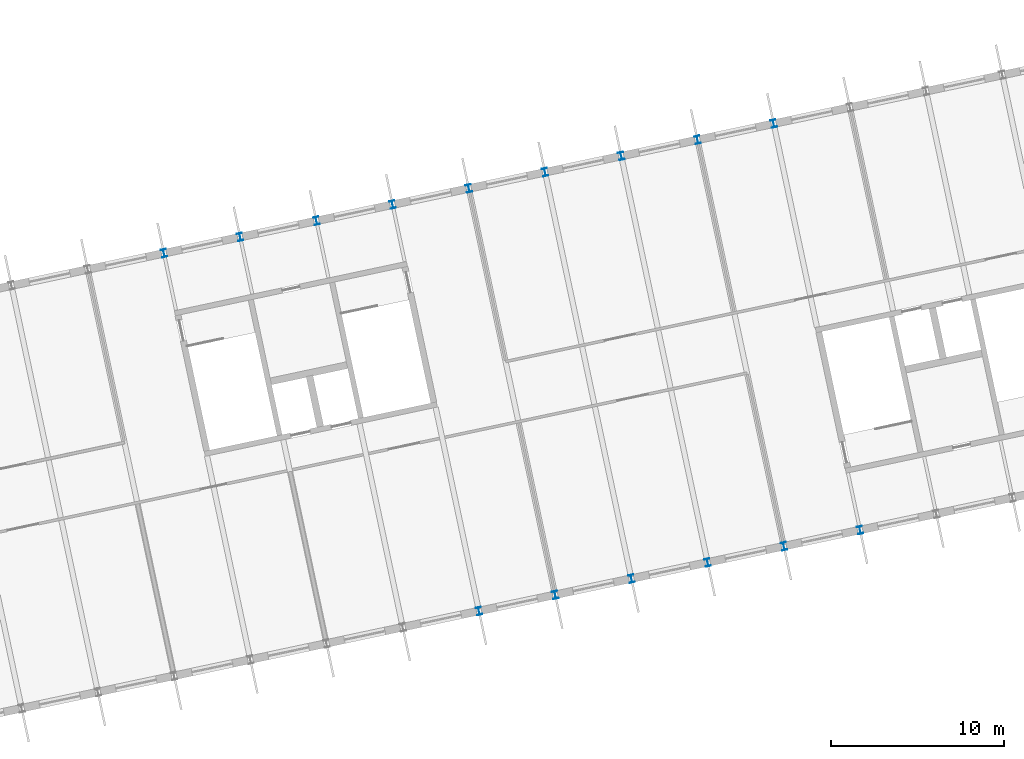
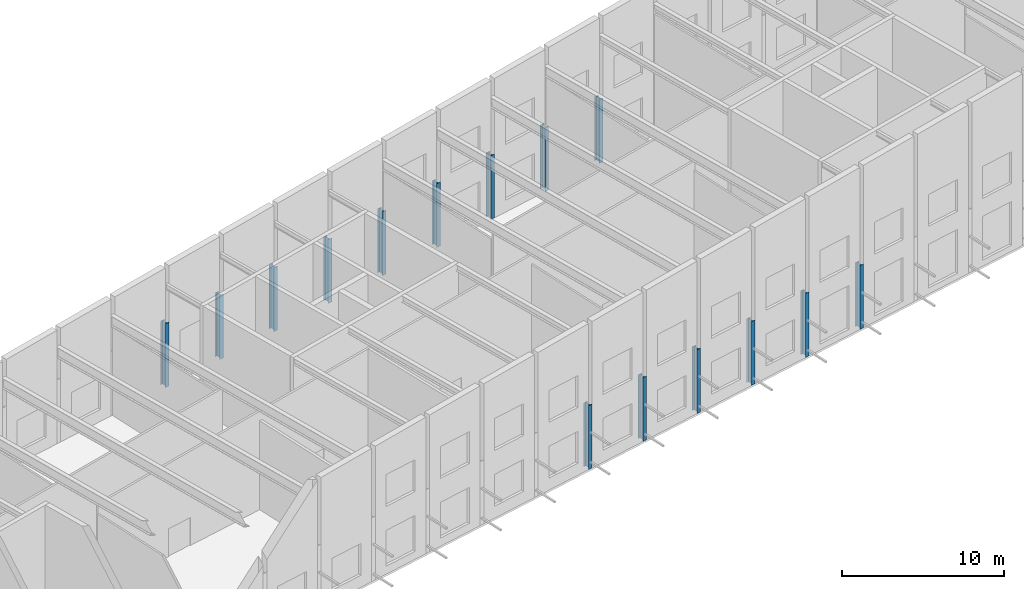
# One storey, part 5 of 69: 15 columns.
"""IFC4 building model written with IfcOpenShell, lengths in metres."""

from ifc_helpers import new_model, si_unit, direction, frame, origin, origin_2d, place, context, subcontext, project, spatial, i_section, extrude, material, material_profile, profile_set, type_object, element, save


model = new_model("IFC4")

# Units and contexts
model_context = context("Model", 3, precision=1e-05, world=origin(), true_north=direction((0.0, 1.0)))
body_context = subcontext(model_context, "Body", "Model", "MODEL_VIEW")
ifc_project = project(units=[si_unit("LENGTHUNIT", "METRE"), si_unit("AREAUNIT", "SQUARE_METRE"), si_unit("VOLUMEUNIT", "CUBIC_METRE"), si_unit("PLANEANGLEUNIT", "RADIAN"), si_unit("MASSUNIT", "GRAM", prefix="KILO")], contexts=[model_context])

# Site, building, storey
site_placement = place(None, origin())
site = spatial("IfcSite", under=ifc_project, at=site_placement, CompositionType="ELEMENT")
building_placement = place(site_placement, origin())
building = spatial("IfcBuilding", under=site, at=building_placement, Name="Okhra Congress Centre", CompositionType="ELEMENT")
storey_placement = place(building_placement, frame((0.0, 0.0, 16.800048828125)))
storey = spatial("IfcBuildingStorey", under=building, at=storey_placement, Name="L03", CompositionType="ELEMENT", Elevation=16.800048828125)

# Columns
ifc_material = material(Name="Steel S355J2", Category="steel")
ifc_material_profile = material_profile(ifc_material, i_section(OverallWidth=0.300048828125, OverallDepth=0.449951171875, WebThickness=0.013916015625, FlangeThickness=0.02587890625, FilletRadius=0.027099609375, at=origin_2d()), Name="HE 450 B")
ifc_profile_set = profile_set([ifc_material_profile], Name="Steel S355J2")
column_type = type_object("IfcColumnType", Name="Steel post HE 450 B", PredefinedType="COLUMN", material=ifc_profile_set)
for number, where, z_axis, x_axis, name in (
    (1, (113.8310546875, 38.036376953125, 0.0), (0.0, 0.0, 1.0), (0.978147600734, 0.207911690818, 0.0), "Post S13"),
    (2, (118.232666015625, 38.97216796875, 0.0), (0.0, 0.0, 1.0), (0.978147600734, 0.207911690818, 0.0), "Post S14"),
    (3, (122.63427734375, 39.90771484375, 0.0), (0.0, 0.0, 1.0), (0.978147600734, 0.207911690818, 0.0), "Post S15"),
    (4, (127.035888671875, 40.84326171875, 0.0), (0.0, 0.0, 1.0), (0.978147600734, 0.207911690818, 0.0), "Post S16"),
    (5, (131.4375, 41.77880859375, 0.0), (0.0, 0.0, 1.0), (0.978147600734, 0.207911690818, 0.0), "Post S17"),
    (6, (135.83935546875, 42.714599609375, 0.0), (0.0, 0.0, 1.0), (0.978147600734, 0.207911690818, 0.0), "Post S18"),
    (7, (95.635986328125, 58.705322265625, 0.0), (0.0, 0.0, 1.0), (0.978147600734, 0.207911690818, 0.0), "Post N10"),
    (8, (100.037841796875, 59.640869140625, 0.0), (0.0, 0.0, 1.0), (0.978147600734, 0.207911690818, 0.0), "Post N11"),
    (9, (104.439453125, 60.576416015625, 0.0), (0.0, 0.0, 1.0), (0.978147600734, 0.207911690818, 0.0), "Post N12"),
    (10, (108.841064453125, 61.511962890625, 0.0), (0.0, 0.0, 1.0), (0.978147600734, 0.207911690818, 0.0), "Post N13"),
    (11, (113.24267578125, 62.447509765625, 0.0), (0.0, 0.0, 1.0), (0.978147600734, 0.207911690818, 0.0), "Post N14"),
    (12, (117.64453125, 63.38330078125, 0.0), (0.0, 0.0, 1.0), (0.978147600734, 0.207911690818, 0.0), "Post N15"),
    (13, (122.046142578125, 64.31884765625, 0.0), (0.0, 0.0, 1.0), (0.978147600734, 0.207911690818, 0.0), "Post N16"),
    (14, (126.44775390625, 65.25439453125, 0.0), (0.0, 0.0, 1.0), (0.978147600734, 0.207911690818, 0.0), "Post N17"),
    (15, (130.849365234375, 66.18994140625, 0.0), (0.0, 0.0, 1.0), (0.978147600734, 0.207911690818, 0.0), "Post N18"),
):
    element("IfcColumn", number, at=place(storey_placement, frame(where, z_axis=z_axis, x_axis=x_axis)), inside=storey, type_object=column_type, Name=name, PredefinedType="COLUMN", context=body_context, shape_type="SweptSolid", body=[
        extrude(i_section(OverallWidth=0.300048828125, OverallDepth=0.449951171875, WebThickness=0.013916015625, FlangeThickness=0.02587890625, FilletRadius=0.027099609375, at=origin_2d()), origin(), (0.0, 0.0, 1.0), 4.800048828125),
    ])

save(model, "model.ifc")
